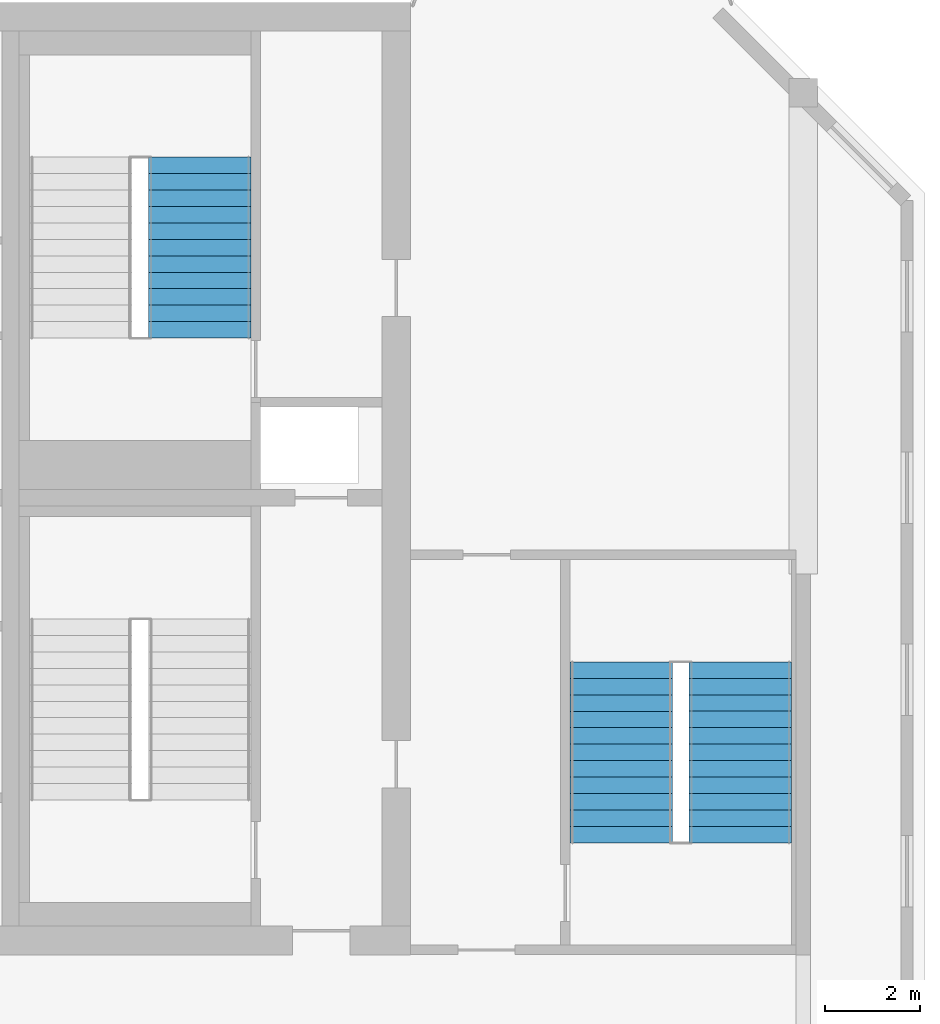
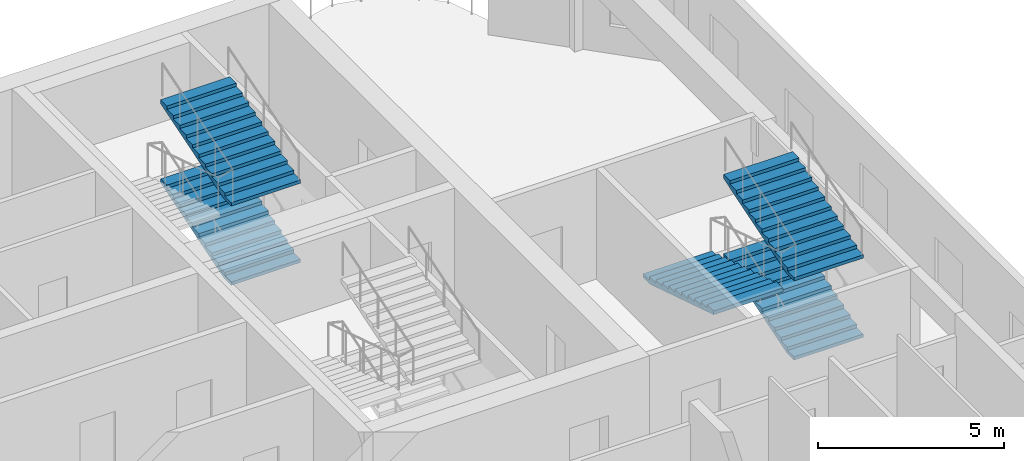
# One storey, part 9 of 12: 5 stair flights, 2 elements without a shape of their own.
"""IFC4 building model written with IfcOpenShell, lengths in metres."""

import ifcopenshell
import ifcopenshell.guid

model = None  # the IFC model being written
_history = None  # IfcOwnerHistory: only IFC2X3 demands one
_inside = {}  # id of a spatial element -> (the spatial element, [elements in it])
_under = {}  # id of a project, library or spatial element -> (it, [spatial elements below it])
_declared = {}  # id of a project -> (the project, [libraries it declares])
_typed = {}  # id of a type object -> (the type object, [elements of that type])
_made_of = {}  # id of a material, layer set ... -> (it, [elements and type objects made of it])


def new_model(schema):
    """Start an empty IFC model of exactly this schema.

    Asked for "IFC4X3", IfcOpenShell would pick the latest addendum, in which some entities
    have other attributes; the version numbers below select the first issue.
    IFC2X3 requires an IfcOwnerHistory on every rooted entity: one is made here for all.
    """
    global model, _history
    if schema == "IFC4X3":
        model = ifcopenshell.file(schema_version=(4, 3, 0, 0))
    else:
        model = ifcopenshell.file(schema=schema)
    _inside.clear()
    _under.clear()
    _declared.clear()
    _typed.clear()
    _made_of.clear()
    _history = None
    if model.schema == "IFC2X3":
        org = make("IfcOrganization", Name="unknown")
        user = make(
            "IfcPersonAndOrganization",
            ThePerson=make("IfcPerson", FamilyName="unknown"),
            TheOrganization=org,
        )
        app = make(
            "IfcApplication",
            ApplicationDeveloper=org,
            Version="unknown",
            ApplicationFullName="unknown",
            ApplicationIdentifier="unknown",
        )
        _history = make(
            "IfcOwnerHistory",
            OwningUser=user,
            OwningApplication=app,
            ChangeAction="ADDED",
            CreationDate=0,
        )
    return model


def make(cls, **values):
    """One entity of the class cls with the attributes given. An attribute that is None is left unset."""
    return model.create_entity(
        cls, **{name: value for name, value in values.items() if value is not None}
    )


def rooted(cls, **values):
    """An entity with a GlobalId (a new one), such as an element, a storey or a relation."""
    return make(cls, GlobalId=ifcopenshell.guid.new(), OwnerHistory=_history, **values)


def si_unit(unit_type, name, prefix=None):
    """IfcSIUnit, for example si_unit("LENGTHUNIT", "METRE", prefix="MILLI")."""
    return make("IfcSIUnit", UnitType=unit_type, Prefix=prefix, Name=name)


def assignment(units):
    """IfcUnitAssignment: the units of a project."""
    return None if units is None else make("IfcUnitAssignment", Units=units)


def point(xyz):
    """IfcCartesianPoint."""
    return None if xyz is None else make("IfcCartesianPoint", Coordinates=xyz)


def direction(xyz):
    """IfcDirection."""
    return None if xyz is None else make("IfcDirection", DirectionRatios=xyz)


def frame(location, z_axis=None, x_axis=None):
    """IfcAxis2Placement3D, a coordinate frame: its origin and axes. An axis left out is left unset."""
    return make(
        "IfcAxis2Placement3D",
        Location=point(location),
        Axis=direction(z_axis),
        RefDirection=direction(x_axis),
    )


def origin():
    """The frame at (0, 0, 0) with its axes left unset."""
    return frame((0.0, 0.0, 0.0))


def place(relative_to, where):
    """IfcLocalPlacement: puts the frame where relative to a parent placement (None: the world)."""
    return make(
        "IfcLocalPlacement", PlacementRelTo=relative_to, RelativePlacement=where
    )


def context(
    kind, dimensions, precision=None, world=None, true_north=None, identifier=None
):
    """IfcGeometricRepresentationContext, for example the 3D "Model" context."""
    return make(
        "IfcGeometricRepresentationContext",
        ContextIdentifier=identifier,
        ContextType=kind,
        CoordinateSpaceDimension=dimensions,
        Precision=precision,
        WorldCoordinateSystem=world,
        TrueNorth=true_north,
    )


def subcontext(parent, identifier, kind, view, scale=None):
    """IfcGeometricRepresentationSubContext, for example "Body" below "Model"."""
    return make(
        "IfcGeometricRepresentationSubContext",
        ContextIdentifier=identifier,
        ContextType=kind,
        ParentContext=parent,
        TargetScale=scale,
        TargetView=view,
    )


def project(units=None, contexts=None):
    """IfcProject with its units and contexts."""
    return rooted(
        "IfcProject",
        Name="project",
        RepresentationContexts=contexts,
        UnitsInContext=assignment(units),
    )


def spatial(cls, under=None, at=None, **own):
    """A site, building, storey or space (cls), placed at a placement, below another one or the project."""
    s = rooted(cls, ObjectPlacement=at, **own)
    if under is not None:
        _under.setdefault(under.id(), (under, []))[1].append(s)
    return s


def polyline(points):
    """IfcPolyline through the points."""
    return make("IfcPolyline", Points=[point(p) for p in points])


def outline(outer, holes=None, kind="AREA"):
    """IfcArbitraryClosedProfileDef: a profile drawn as a closed curve; with holes, ...WithVoids."""
    if holes is None:
        return make("IfcArbitraryClosedProfileDef", ProfileType=kind, OuterCurve=outer)
    return make(
        "IfcArbitraryProfileDefWithVoids",
        ProfileType=kind,
        OuterCurve=outer,
        InnerCurves=holes,
    )


def extrude(swept, where, along, depth):
    """IfcExtrudedAreaSolid: the profile swept, set in the frame where, extruded along a direction by depth."""
    return make(
        "IfcExtrudedAreaSolid",
        SweptArea=swept,
        Position=where,
        ExtrudedDirection=direction(along),
        Depth=depth,
    )


def shape(context_of_items, identifier, shape_type, items):
    """IfcShapeRepresentation: the items that make up one representation, for example the "Body"."""
    return make(
        "IfcShapeRepresentation",
        ContextOfItems=context_of_items,
        RepresentationIdentifier=identifier,
        RepresentationType=shape_type,
        Items=items,
    )


def source(mapping_origin, context_of_items, identifier, shape_type, items):
    """IfcRepresentationMap: a shape defined once, which mapped items show again and again."""
    return make(
        "IfcRepresentationMap",
        MappingOrigin=mapping_origin,
        MappedRepresentation=shape(context_of_items, identifier, shape_type, items),
    )


def transform(
    local_origin,
    x_axis=None,
    y_axis=None,
    z_axis=None,
    scale=None,
    scale2=None,
    scale3=None,
    uniform=True,
):
    """IfcCartesianTransformationOperator3D, or its non-uniform kind. x_axis, y_axis, z_axis: its Axis1, 2, 3."""
    if uniform:
        return make(
            "IfcCartesianTransformationOperator3D",
            Axis1=direction(x_axis),
            Axis2=direction(y_axis),
            LocalOrigin=point(local_origin),
            Scale=scale,
            Axis3=direction(z_axis),
        )
    return make(
        "IfcCartesianTransformationOperator3DnonUniform",
        Axis1=direction(x_axis),
        Axis2=direction(y_axis),
        LocalOrigin=point(local_origin),
        Scale=scale,
        Axis3=direction(z_axis),
        Scale2=scale2,
        Scale3=scale3,
    )


def mapped(mapping_source, mapping_target):
    """IfcMappedItem: shows the shape of a source again, moved by a transform."""
    return make(
        "IfcMappedItem", MappingSource=mapping_source, MappingTarget=mapping_target
    )


def material(Name=None, Category=None):
    """IfcMaterial."""
    return make("IfcMaterial", Name=Name, Category=Category)


def made_of(thing, what):
    """Note that an element or type object is made of a material, layer set ...; save() writes the relation."""
    if what is not None:
        _made_of.setdefault(what.id(), (what, []))[1].append(thing)
    return thing


def type_object(cls, material=None, **own):
    """A type object (cls), such as IfcWallType, which elements share."""
    return made_of(rooted(cls, **own), material)


def element(
    cls,
    number,
    at=None,
    inside=None,
    cuts=None,
    type_object=None,
    material=None,
    context=None,
    identifier="Body",
    shape_type=None,
    held_by="IfcProductDefinitionShape",
    body=None,
    shapes=None,
    **own,
):
    """One element of the class cls, such as IfcWall. Its Tag is "e" and its number.

    at: its placement. inside: the storey or other place that contains it. cuts: it is an
    opening in that element (IfcRelVoidsElement). A single representation is given by context,
    identifier, shape_type and body (its items); several are given by shapes. held_by: the class
    of the entity that holds the representations. save() writes the other relations.
    """
    e = rooted(cls, Tag="e%d" % number, ObjectPlacement=at, **own)
    if body is not None:
        shapes = [shape(context, identifier, shape_type, body)]
    if shapes is not None:
        e.Representation = make(held_by, Representations=shapes)
    if inside is not None:
        _inside.setdefault(inside.id(), (inside, []))[1].append(e)
    if cuts is not None:
        rooted(
            "IfcRelVoidsElement", RelatingBuildingElement=cuts, RelatedOpeningElement=e
        )
    if type_object is not None:
        _typed.setdefault(type_object.id(), (type_object, []))[1].append(e)
    return made_of(e, material)


def aggregate(whole, parts):
    """IfcRelAggregates: a whole, such as a stair, and the parts it consists of."""
    return rooted("IfcRelAggregates", RelatingObject=whole, RelatedObjects=parts)


def save(model, path):
    """Write the relations noted so far, then the file.

    IfcRelAggregates (storeys below a building ...), IfcRelContainedInSpatialStructure (elements
    in a storey), IfcRelDefinesByType, IfcRelAssociatesMaterial and IfcRelDeclares: one each for
    every whole, place, type object, material and project.
    """
    for whole, parts in _under.values():
        aggregate(whole, parts)
    for where, things in _inside.values():
        rooted(
            "IfcRelContainedInSpatialStructure",
            RelatedElements=things,
            RelatingStructure=where,
        )
    for kind, things in _typed.values():
        rooted("IfcRelDefinesByType", RelatedObjects=things, RelatingType=kind)
    for what, things in _made_of.values():
        rooted("IfcRelAssociatesMaterial", RelatedObjects=things, RelatingMaterial=what)
    for by, libraries in _declared.values():
        rooted("IfcRelDeclares", RelatingContext=by, RelatedDefinitions=libraries)
    model.write(path)


model = new_model("IFC4")

# Units and contexts
model_context = context("Model", 3, precision=1e-05, world=origin(), true_north=direction((0.0, 1.0)))
body_context = subcontext(model_context, "Body", "Model", "MODEL_VIEW")
ifc_project = project(units=[si_unit("LENGTHUNIT", "METRE"), si_unit("AREAUNIT", "SQUARE_METRE"), si_unit("VOLUMEUNIT", "CUBIC_METRE"), si_unit("PLANEANGLEUNIT", "RADIAN"), si_unit("MASSUNIT", "GRAM", prefix="KILO")], contexts=[model_context])

# Site, building, storey
site_placement = place(None, origin())
site = spatial("IfcSite", under=ifc_project, at=site_placement, CompositionType="ELEMENT")
building_placement = place(site_placement, origin())
building = spatial("IfcBuilding", under=site, at=building_placement, Name="Vanashikhar Sky Hotel", CompositionType="ELEMENT")
storey_placement = place(building_placement, frame((0.0, 0.0, 237.39990234375)))
storey = spatial("IfcBuildingStorey", under=building, at=storey_placement, Name="L57", CompositionType="ELEMENT", Elevation=237.39990234375)

# Stair, stair flights
ifc_material = material(Name="Concrete M40", Category="concrete")
stair_type = type_object("IfcStairType", Name="Exit stair 2150", PredefinedType="DOUBLE_RETURN_STAIR", material=ifc_material)
stair_1_placement = place(storey_placement, origin())
stair_1 = element("IfcStair", 1, at=stair_1_placement, inside=storey, type_object=stair_type, Name="L57 Exit stair 4", PredefinedType="DOUBLE_RETURN_STAIR")
stair_flight_type = type_object("IfcStairFlightType", Name="Stair flight 2150", PredefinedType="STRAIGHT", material=ifc_material)
shared_shape = source(origin(), body_context, "Body", "SweptSolid", [
    extrude(outline(polyline([(0.0, 0.0), (0.0, 0.1083984375), (0.345458984375, 0.1083984375), (0.345458984375, 0.216552734375), (0.69091796875, 0.216552734375), (0.69091796875, 0.324951171875), (1.036376953125, 0.324951171875), (1.036376953125, 0.433349609375), (1.3818359375, 0.433349609375), (1.3818359375, 0.541748046875), (1.727294921875, 0.541748046875), (1.727294921875, 0.64990234375), (2.07275390625, 0.64990234375), (2.07275390625, 0.75830078125), (2.418212890625, 0.75830078125), (2.418212890625, 0.86669921875), (2.763671875, 0.86669921875), (2.763671875, 0.97509765625), (3.109130859375, 0.97509765625), (3.109130859375, 1.083251953125), (3.45458984375, 1.083251953125), (3.45458984375, 1.191650390625), (3.800048828125, 1.191650390625), (3.800048828125, 1.300048828125), (3.800048828125, 1.065673828125), (0.4013671875, 0.0), (0.0, 0.0)])), frame((0.0, 1.074951171875, 0.0), z_axis=(0.0, -1.0, 0.0), x_axis=(1.0, 0.0, 0.0)), (0.0, 0.0, 1.0), 2.14990234375),
])
stair_flight_1_placement = place(storey_placement, frame((82.52490234375, 24.35009765625, 0.0), z_axis=(0.0, 0.0, 1.0), x_axis=(0.0, 1.0, 0.0)))
stair_flight_1 = element("IfcStairFlight", 2, at=stair_flight_1_placement, type_object=stair_flight_type, Name="ST-E flight 1", NumberOfRisers=12, NumberOfTreads=11, PredefinedType="STRAIGHT", RiserHeight=0.108333333, TreadLength=0.345454545, context=body_context, shape_type="MappedRepresentation", body=[
    mapped(shared_shape, transform((0.0, 0.0, 0.0), scale=1.0)),
])
stair_flight_2_placement = place(storey_placement, frame((80.02490234375, 28.14990234375, 1.300048828125), z_axis=(0.0, 0.0, 1.0), x_axis=(0.0, -1.0, 0.0)))
stair_flight_2 = element("IfcStairFlight", 3, at=stair_flight_2_placement, type_object=stair_flight_type, Name="ST-E flight 2", NumberOfRisers=12, NumberOfTreads=11, PredefinedType="STRAIGHT", RiserHeight=0.108333333, TreadLength=0.345454545, context=body_context, shape_type="MappedRepresentation", body=[
    mapped(shared_shape, transform((0.0, 0.0, 0.0), scale=1.0)),
])
stair_flight_3_placement = place(storey_placement, frame((82.52490234375, 24.35009765625, 2.60009765625), z_axis=(0.0, 0.0, 1.0), x_axis=(0.0, 1.0, 0.0)))
stair_flight_3 = element("IfcStairFlight", 4, at=stair_flight_3_placement, type_object=stair_flight_type, Name="ST-E flight 3", NumberOfRisers=12, NumberOfTreads=11, PredefinedType="STRAIGHT", RiserHeight=0.108333333, TreadLength=0.345454545, context=body_context, shape_type="MappedRepresentation", body=[
    mapped(shared_shape, transform((0.0, 0.0, 0.0), scale=1.0)),
])
aggregate(stair_1, [stair_flight_1, stair_flight_2, stair_flight_3])

stair_2_placement = place(storey_placement, origin())
stair_2 = element("IfcStair", 5, at=stair_2_placement, inside=storey, type_object=stair_type, Name="L57 Exit stair 6", PredefinedType="DOUBLE_RETURN_STAIR")
stair_flight_4_placement = place(storey_placement, frame((71.175048828125, 34.949951171875, 0.0), z_axis=(0.0, 0.0, 1.0), x_axis=(0.0, 1.0, 0.0)))
stair_flight_4 = element("IfcStairFlight", 6, at=stair_flight_4_placement, type_object=stair_flight_type, Name="ST-C4 flight 1", NumberOfRisers=12, NumberOfTreads=11, PredefinedType="STRAIGHT", RiserHeight=0.108333333, TreadLength=0.345454545, context=body_context, shape_type="MappedRepresentation", body=[
    mapped(shared_shape, transform((0.0, 0.0, 0.0), scale=1.0)),
])
stair_flight_5_placement = place(storey_placement, frame((71.175048828125, 34.949951171875, 2.60009765625), z_axis=(0.0, 0.0, 1.0), x_axis=(0.0, 1.0, 0.0)))
stair_flight_5 = element("IfcStairFlight", 7, at=stair_flight_5_placement, type_object=stair_flight_type, Name="ST-C4 flight 3", NumberOfRisers=12, NumberOfTreads=11, PredefinedType="STRAIGHT", RiserHeight=0.108333333, TreadLength=0.345454545, context=body_context, shape_type="MappedRepresentation", body=[
    mapped(shared_shape, transform((0.0, 0.0, 0.0), scale=1.0)),
])
aggregate(stair_2, [stair_flight_4, stair_flight_5])

save(model, "model.ifc")
